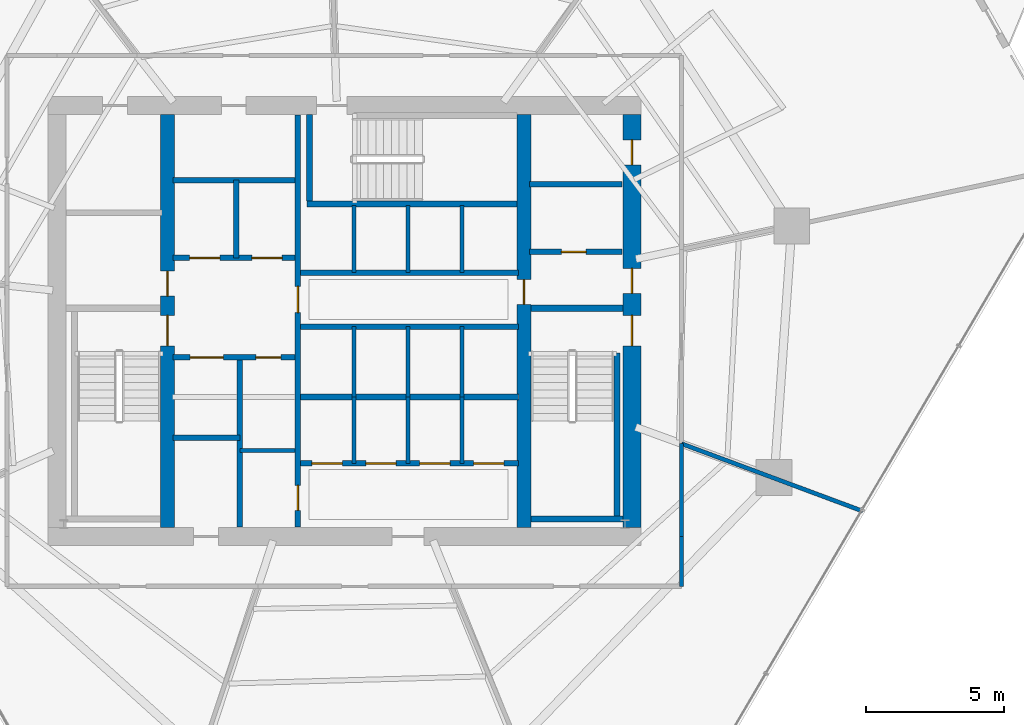
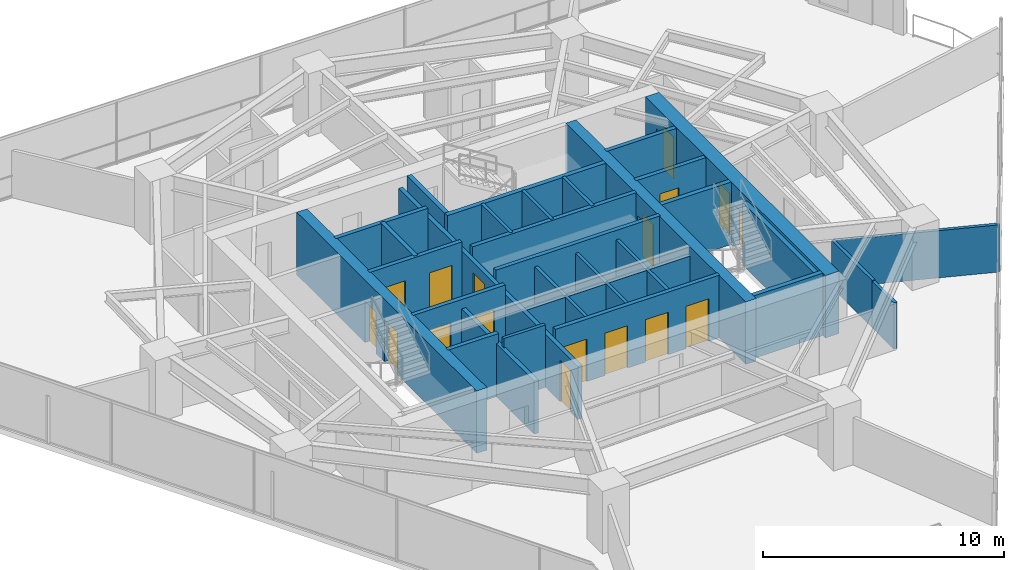
# One storey, part 25 of 31: 34 walls, 17 doors, 17 openings.
"""IFC4 building model written with IfcOpenShell, lengths in metres."""

from ifc_helpers import new_model, si_unit, direction, frame, frame_2d, origin, place, context, subcontext, project, spatial, rectangle, extrude, material, layer, layer_set, type_object, element, fill, save


model = new_model("IFC4")

# Units and contexts
model_context = context("Model", 3, precision=1e-05, world=origin(), true_north=direction((0.0, 1.0)))
body_context = subcontext(model_context, "Body", "Model", "MODEL_VIEW")
ifc_project = project(units=[si_unit("LENGTHUNIT", "METRE"), si_unit("AREAUNIT", "SQUARE_METRE"), si_unit("VOLUMEUNIT", "CUBIC_METRE"), si_unit("PLANEANGLEUNIT", "RADIAN"), si_unit("MASSUNIT", "GRAM", prefix="KILO")], contexts=[model_context])

# Site, building, storey
site_placement = place(None, origin())
site = spatial("IfcSite", under=ifc_project, at=site_placement, CompositionType="ELEMENT")
building_placement = place(site_placement, origin())
building = spatial("IfcBuilding", under=site, at=building_placement, Name="Qarnah Convention Tower", CompositionType="ELEMENT")
storey_placement = place(building_placement, frame((0.0, 0.0, 64.949951171875)))
storey = spatial("IfcBuildingStorey", under=building, at=storey_placement, Name="L16", CompositionType="ELEMENT", Elevation=64.949951171875)

# Wall, openings, doors
ifc_material_1 = material(Name="Concrete C60/75", Category="concrete")
ifc_layer_1 = layer(ifc_material_1, 0.64990234375)
ifc_layer_set_1 = layer_set([ifc_layer_1], Name="Concrete C60/75")
wall_type_1 = type_object("IfcWallType", Name="WL-CORE-650", PredefinedType="SHEAR", material=ifc_layer_set_1)
wall_1_placement = place(storey_placement, frame((47.60009765625, 18.925048828125, 0.0), z_axis=(0.0, 0.0, 1.0), x_axis=(0.0, 1.0, 0.0)))
wall_1 = element("IfcWall", 1, at=wall_1_placement, inside=storey, type_object=wall_type_1, Name="L16 core east shear wall", PredefinedType="SHEAR", context=body_context, shape_type="SweptSolid", body=[
    extrude(rectangle(XDim=14.949951171875, YDim=0.64990234375, at=frame_2d((7.47509765625, 0.0))), origin(), (0.0, 0.0, 1.0), 3.170166015625),
])
opening_1_placement = place(wall_1_placement, frame((6.574951171875, 0.0, 0.0)))
opening_1 = element("IfcOpeningElement", 2, at=opening_1_placement, cuts=wall_1, Name="Opening D-1602", PredefinedType="OPENING", context=body_context, shape_type="SweptSolid", body=[
    extrude(rectangle(XDim=1.10009765625, YDim=2.14990234375, at=frame_2d((0.550048828125, 1.074951171875))), frame((0.0, 0.3349609375, 0.0), z_axis=(0.0, -1.0, 0.0), x_axis=(1.0, 0.0, 0.0)), (0.0, 0.0, 1.0), 0.669921875),
])
opening_2_placement = place(wall_1_placement, frame((8.47509765625, 0.0, 0.0)))
opening_2 = element("IfcOpeningElement", 3, at=opening_2_placement, cuts=wall_1, Name="Opening D-1606", PredefinedType="OPENING", context=body_context, shape_type="SweptSolid", body=[
    extrude(rectangle(XDim=0.89990234375, YDim=2.10009765625, at=frame_2d((0.449951171875, 1.050048828125))), frame((0.0, 0.3349609375, 0.0), z_axis=(0.0, -1.0, 0.0), x_axis=(1.0, 0.0, 0.0)), (0.0, 0.0, 1.0), 0.669921875),
])
opening_3_placement = place(wall_1_placement, frame((13.125, 0.0, 0.0)))
opening_3 = element("IfcOpeningElement", 4, at=opening_3_placement, cuts=wall_1, Name="Opening D-1612", PredefinedType="OPENING", context=body_context, shape_type="SweptSolid", body=[
    extrude(rectangle(XDim=0.89990234375, YDim=2.10009765625, at=frame_2d((0.449951171875, 1.050048828125))), frame((0.0, 0.3349609375, 0.0), z_axis=(0.0, -1.0, 0.0), x_axis=(1.0, 0.0, 0.0)), (0.0, 0.0, 1.0), 0.669921875),
])
ifc_material_2 = material(Name="Structural steel S355JR", Category="steel")
door_type_1 = type_object("IfcDoorType", Name="DT-RISER-900", OperationType="NOTDEFINED", PredefinedType="DOOR", material=ifc_material_2)
door_1_placement = place(opening_2_placement, origin())
door_1 = element("IfcDoor", 5, at=door_1_placement, inside=storey, type_object=door_type_1, Name="Door D-1606", OperationType="SINGLE_SWING_RIGHT", OverallHeight=2.10009765625, OverallWidth=0.89990234375, PredefinedType="DOOR", context=body_context, shape_type="SweptSolid", body=[
    extrude(rectangle(XDim=0.89990234375, YDim=2.10009765625, at=frame_2d((0.449951171875, 1.050048828125))), frame((0.0, 0.02490234375, 0.0), z_axis=(0.0, -1.0, 0.0), x_axis=(1.0, 0.0, 0.0)), (0.0, 0.0, 1.0), 0.050048828125),
])
fill(opening_2, door_1)
door_2_placement = place(opening_3_placement, origin())
door_2 = element("IfcDoor", 6, at=door_2_placement, inside=storey, type_object=door_type_1, Name="Door D-1612", OperationType="SINGLE_SWING_RIGHT", OverallHeight=2.10009765625, OverallWidth=0.89990234375, PredefinedType="DOOR", context=body_context, shape_type="SweptSolid", body=[
    extrude(rectangle(XDim=0.89990234375, YDim=2.10009765625, at=frame_2d((0.449951171875, 1.050048828125))), frame((0.0, 0.02490234375, 0.0), z_axis=(0.0, -1.0, 0.0), x_axis=(1.0, 0.0, 0.0)), (0.0, 0.0, 1.0), 0.050048828125),
])
fill(opening_3, door_2)
door_type_2 = type_object("IfcDoorType", Name="DT-STAIR-1100", OperationType="NOTDEFINED", PredefinedType="DOOR", material=ifc_material_2)
door_3_placement = place(opening_1_placement, origin())
door_3 = element("IfcDoor", 7, at=door_3_placement, inside=storey, type_object=door_type_2, Name="Door D-1602", OperationType="SINGLE_SWING_RIGHT", OverallHeight=2.14990234375, OverallWidth=1.10009765625, PredefinedType="DOOR", context=body_context, shape_type="SweptSolid", body=[
    extrude(rectangle(XDim=1.10009765625, YDim=2.14990234375, at=frame_2d((0.550048828125, 1.074951171875))), frame((0.0, 0.02490234375, 0.0), z_axis=(0.0, -1.0, 0.0), x_axis=(1.0, 0.0, 0.0)), (0.0, 0.0, 1.0), 0.050048828125),
])
fill(opening_1, door_3)

ifc_layer_2 = layer(ifc_material_1, 0.5)
ifc_layer_set_2 = layer_set([ifc_layer_2], Name="Concrete C60/75")
wall_type_2 = type_object("IfcWallType", Name="WL-CORE-INT-400", PredefinedType="SHEAR", material=ifc_layer_set_2)
wall_2_placement = place(storey_placement, frame((30.800048828125, 18.925048828125, 0.0), z_axis=(0.0, 0.0, 1.0), x_axis=(0.0, 1.0, 0.0)))
wall_2 = element("IfcWall", 8, at=wall_2_placement, inside=storey, type_object=wall_type_2, Name="L16 core west spine shear wall", PredefinedType="SHEAR", context=body_context, shape_type="SweptSolid", body=[
    extrude(rectangle(XDim=14.949951171875, YDim=0.5, at=frame_2d((7.47509765625, 0.0))), origin(), (0.0, 0.0, 1.0), 3.170166015625),
])
opening_4_placement = place(wall_2_placement, frame((6.574951171875, 0.0, 0.0)))
opening_4 = element("IfcOpeningElement", 9, at=opening_4_placement, cuts=wall_2, Name="Opening D-1601", PredefinedType="OPENING", context=body_context, shape_type="SweptSolid", body=[
    extrude(rectangle(XDim=1.10009765625, YDim=2.14990234375, at=frame_2d((0.550048828125, 1.074951171875))), frame((0.0, 0.260009765625, 0.0), z_axis=(0.0, -1.0, 0.0), x_axis=(1.0, 0.0, 0.0)), (0.0, 0.0, 1.0), 0.52001953125),
])
opening_5_placement = place(wall_2_placement, frame((8.375, 0.0, 0.0)))
opening_5 = element("IfcOpeningElement", 10, at=opening_5_placement, cuts=wall_2, Name="Opening D-1608", PredefinedType="OPENING", context=body_context, shape_type="SweptSolid", body=[
    extrude(rectangle(XDim=0.89990234375, YDim=2.10009765625, at=frame_2d((0.449951171875, 1.050048828125))), frame((0.0, 0.260009765625, 0.0), z_axis=(0.0, -1.0, 0.0), x_axis=(1.0, 0.0, 0.0)), (0.0, 0.0, 1.0), 0.52001953125),
])
door_4_placement = place(opening_5_placement, origin())
door_4 = element("IfcDoor", 11, at=door_4_placement, inside=storey, type_object=door_type_1, Name="Door D-1608", OperationType="SINGLE_SWING_RIGHT", OverallHeight=2.10009765625, OverallWidth=0.89990234375, PredefinedType="DOOR", context=body_context, shape_type="SweptSolid", body=[
    extrude(rectangle(XDim=0.89990234375, YDim=2.10009765625, at=frame_2d((0.449951171875, 1.050048828125))), frame((0.0, 0.02490234375, 0.0), z_axis=(0.0, -1.0, 0.0), x_axis=(1.0, 0.0, 0.0)), (0.0, 0.0, 1.0), 0.050048828125),
])
fill(opening_5, door_4)
door_5_placement = place(opening_4_placement, origin())
door_5 = element("IfcDoor", 12, at=door_5_placement, inside=storey, type_object=door_type_2, Name="Door D-1601", OperationType="SINGLE_SWING_LEFT", OverallHeight=2.14990234375, OverallWidth=1.10009765625, PredefinedType="DOOR", context=body_context, shape_type="SweptSolid", body=[
    extrude(rectangle(XDim=1.10009765625, YDim=2.14990234375, at=frame_2d((0.550048828125, 1.074951171875))), frame((0.0, 0.02490234375, 0.0), z_axis=(0.0, -1.0, 0.0), x_axis=(1.0, 0.0, 0.0)), (0.0, 0.0, 1.0), 0.050048828125),
])
fill(opening_4, door_5)

# Wall, opening, door
wall_3_placement = place(storey_placement, frame((43.699951171875, 18.925048828125, 0.0), z_axis=(0.0, 0.0, 1.0), x_axis=(0.0, 1.0, 0.0)))
wall_3 = element("IfcWall", 13, at=wall_3_placement, inside=storey, type_object=wall_type_2, Name="L16 core east spine shear wall", PredefinedType="SHEAR", context=body_context, shape_type="SweptSolid", body=[
    extrude(rectangle(XDim=14.949951171875, YDim=0.5, at=frame_2d((7.47509765625, 0.0))), origin(), (0.0, 0.0, 1.0), 3.170166015625),
])
opening_6_placement = place(wall_3_placement, frame((8.074951171875, 0.0, 0.0)))
opening_6 = element("IfcOpeningElement", 14, at=opening_6_placement, cuts=wall_3, Name="Opening D-1605", PredefinedType="OPENING", context=body_context, shape_type="SweptSolid", body=[
    extrude(rectangle(XDim=0.89990234375, YDim=2.10009765625, at=frame_2d((0.449951171875, 1.050048828125))), frame((0.0, 0.260009765625, 0.0), z_axis=(0.0, -1.0, 0.0), x_axis=(1.0, 0.0, 0.0)), (0.0, 0.0, 1.0), 0.52001953125),
])
door_6_placement = place(opening_6_placement, origin())
door_6 = element("IfcDoor", 15, at=door_6_placement, inside=storey, type_object=door_type_1, Name="Door D-1605", OperationType="SINGLE_SWING_LEFT", OverallHeight=2.10009765625, OverallWidth=0.89990234375, PredefinedType="DOOR", context=body_context, shape_type="SweptSolid", body=[
    extrude(rectangle(XDim=0.89990234375, YDim=2.10009765625, at=frame_2d((0.449951171875, 1.050048828125))), frame((0.0, 0.02490234375, 0.0), z_axis=(0.0, -1.0, 0.0), x_axis=(1.0, 0.0, 0.0)), (0.0, 0.0, 1.0), 0.050048828125),
])
fill(opening_6, door_6)

ifc_material_3 = material(Name="Concrete C45/55", Category="concrete")
ifc_layer_3 = layer(ifc_material_3, 0.199951171875)
ifc_layer_set_3 = layer_set([ifc_layer_3], Name="Concrete C45/55")
wall_type_3 = type_object("IfcWallType", Name="WL-CORE-PART-200", PredefinedType="SOLIDWALL", material=ifc_layer_set_3)
wall_4_placement = place(storey_placement, frame((43.89990234375, 28.89990234375, 0.0), z_axis=(0.0, 0.0, 1.0), x_axis=(1.0, 0.0, 0.0)))
wall_4 = element("IfcWall", 16, at=wall_4_placement, inside=storey, type_object=wall_type_3, Name="L16 interior wall IW-L16-EVSTN", PredefinedType="SOLIDWALL", context=body_context, shape_type="SweptSolid", body=[
    extrude(rectangle(XDim=3.35009765625, YDim=0.199951171875, at=frame_2d((1.675048828125, 0.0))), origin(), (0.0, 0.0, 1.0), 3.170166015625),
])
opening_7_placement = place(wall_4_placement, frame((1.14990234375, 0.0, 0.0)))
opening_7 = element("IfcOpeningElement", 17, at=opening_7_placement, cuts=wall_4, Name="Opening D-1611", PredefinedType="OPENING", context=body_context, shape_type="SweptSolid", body=[
    extrude(rectangle(XDim=0.89990234375, YDim=2.10009765625, at=frame_2d((0.449951171875, 1.050048828125))), frame((0.0, 0.10986328125, 0.0), z_axis=(0.0, -1.0, 0.0), x_axis=(1.0, 0.0, 0.0)), (0.0, 0.0, 1.0), 0.219970703125),
])
door_7_placement = place(opening_7_placement, origin())
door_7 = element("IfcDoor", 18, at=door_7_placement, inside=storey, type_object=door_type_1, Name="Door D-1611", OperationType="SINGLE_SWING_LEFT", OverallHeight=2.10009765625, OverallWidth=0.89990234375, PredefinedType="DOOR", context=body_context, shape_type="SweptSolid", body=[
    extrude(rectangle(XDim=0.89990234375, YDim=2.10009765625, at=frame_2d((0.449951171875, 1.050048828125))), frame((0.0, 0.02490234375, 0.0), z_axis=(0.0, -1.0, 0.0), x_axis=(1.0, 0.0, 0.0)), (0.0, 0.0, 1.0), 0.050048828125),
])
fill(opening_7, door_7)

# Wall
wall_5_placement = place(storey_placement, frame((43.89990234375, 31.35009765625, 0.0), z_axis=(0.0, 0.0, 1.0), x_axis=(1.0, 0.0, 0.0)))
element("IfcWall", 19, at=wall_5_placement, inside=storey, type_object=wall_type_3, Name="L16 interior wall IW-L16-WTRN", PredefinedType="SOLIDWALL", context=body_context, shape_type="SweptSolid", body=[
    extrude(rectangle(XDim=3.35009765625, YDim=0.199951171875, at=frame_2d((1.675048828125, 0.0))), origin(), (0.0, 0.0, 1.0), 3.170166015625),
])

# Wall, openings, doors
wall_6_placement = place(storey_placement, frame((35.52001953125, 18.949951171875, 0.0), z_axis=(0.0, 0.0, 1.0), x_axis=(0.0, 1.0, 0.0)))
wall_6 = element("IfcWall", 20, at=wall_6_placement, inside=storey, type_object=wall_type_3, Name="L16 interior wall IW-L16-CSP", PredefinedType="SOLIDWALL", context=body_context, shape_type="SweptSolid", body=[
    extrude(rectangle(XDim=14.900146484375, YDim=0.199951171875, at=frame_2d((7.4501953125, 0.0))), origin(), (0.0, 0.0, 1.0), 2.691162109375),
])
opening_8_placement = place(wall_6_placement, frame((7.7548828125, 0.0, 0.0)))
opening_8 = element("IfcOpeningElement", 21, at=opening_8_placement, cuts=wall_6, Name="Opening D-1604", PredefinedType="OPENING", context=body_context, shape_type="SweptSolid", body=[
    extrude(rectangle(XDim=0.949951171875, YDim=2.14990234375, at=frame_2d((0.47509765625, 1.074951171875))), frame((0.0, 0.10986328125, 0.0), z_axis=(0.0, -1.0, 0.0), x_axis=(1.0, 0.0, 0.0)), (0.0, 0.0, 1.0), 0.219970703125),
])
opening_9_placement = place(wall_6_placement, frame((0.60009765625, 0.0, 0.0)))
opening_9 = element("IfcOpeningElement", 22, at=opening_9_placement, cuts=wall_6, Name="Opening D-1614", PredefinedType="OPENING", context=body_context, shape_type="SweptSolid", body=[
    extrude(rectangle(XDim=0.89990234375, YDim=2.10009765625, at=frame_2d((0.449951171875, 1.050048828125))), frame((0.0, 0.10986328125, 0.0), z_axis=(0.0, -1.0, 0.0), x_axis=(1.0, 0.0, 0.0)), (0.0, 0.0, 1.0), 0.219970703125),
])
ifc_material_4 = material(Name="Oak timber veneer", Category="wood")
door_type_3 = type_object("IfcDoorType", Name="DT-HOTEL-950", OperationType="NOTDEFINED", PredefinedType="DOOR", material=ifc_material_4)
door_8_placement = place(opening_8_placement, origin())
door_8 = element("IfcDoor", 23, at=door_8_placement, inside=storey, type_object=door_type_3, Name="Door D-1604", OperationType="SINGLE_SWING_RIGHT", OverallHeight=2.14990234375, OverallWidth=0.949951171875, PredefinedType="DOOR", context=body_context, shape_type="SweptSolid", body=[
    extrude(rectangle(XDim=0.949951171875, YDim=2.14990234375, at=frame_2d((0.47509765625, 1.074951171875))), frame((0.0, 0.02490234375, 0.0), z_axis=(0.0, -1.0, 0.0), x_axis=(1.0, 0.0, 0.0)), (0.0, 0.0, 1.0), 0.050048828125),
])
fill(opening_8, door_8)
door_9_placement = place(opening_9_placement, origin())
door_9 = element("IfcDoor", 24, at=door_9_placement, inside=storey, type_object=door_type_1, Name="Door D-1614", OperationType="SINGLE_SWING_RIGHT", OverallHeight=2.10009765625, OverallWidth=0.89990234375, PredefinedType="DOOR", context=body_context, shape_type="SweptSolid", body=[
    extrude(rectangle(XDim=0.89990234375, YDim=2.10009765625, at=frame_2d((0.449951171875, 1.050048828125))), frame((0.0, 0.02490234375, 0.0), z_axis=(0.0, -1.0, 0.0), x_axis=(1.0, 0.0, 0.0)), (0.0, 0.0, 1.0), 0.050048828125),
])
fill(opening_9, door_9)

wall_7_placement = place(storey_placement, frame((31.0, 28.679931640625, 0.0), z_axis=(0.0, 0.0, 1.0), x_axis=(1.0, 0.0, 0.0)))
wall_7 = element("IfcWall", 25, at=wall_7_placement, inside=storey, type_object=wall_type_3, Name="L16 interior wall IW-L16-FFLS", PredefinedType="SOLIDWALL", context=body_context, shape_type="SweptSolid", body=[
    extrude(rectangle(XDim=4.419921875, YDim=0.199951171875, at=frame_2d((2.2099609375, 0.0))), origin(), (0.0, 0.0, 1.0), 3.170166015625),
])
opening_10_placement = place(wall_7_placement, frame((0.60009765625, 0.0, 0.0)))
opening_10 = element("IfcOpeningElement", 26, at=opening_10_placement, cuts=wall_7, Name="Opening LD-1601", PredefinedType="OPENING", context=body_context, shape_type="SweptSolid", body=[
    extrude(rectangle(XDim=1.10009765625, YDim=2.14990234375, at=frame_2d((0.550048828125, 1.074951171875))), frame((0.0, 0.10986328125, 0.0), z_axis=(0.0, -1.0, 0.0), x_axis=(1.0, 0.0, 0.0)), (0.0, 0.0, 1.0), 0.219970703125),
])
opening_11_placement = place(wall_7_placement, frame((2.85009765625, 0.0, 0.0)))
opening_11 = element("IfcOpeningElement", 27, at=opening_11_placement, cuts=wall_7, Name="Opening LD-1602", PredefinedType="OPENING", context=body_context, shape_type="SweptSolid", body=[
    extrude(rectangle(XDim=1.10009765625, YDim=2.14990234375, at=frame_2d((0.550048828125, 1.074951171875))), frame((0.0, 0.10986328125, 0.0), z_axis=(0.0, -1.0, 0.0), x_axis=(1.0, 0.0, 0.0)), (0.0, 0.0, 1.0), 0.219970703125),
])
door_type_4 = type_object("IfcDoorType", Name="DT-LIFT-1100", OperationType="SLIDING_TO_LEFT", PredefinedType="DOOR", material=ifc_material_2)
door_10_placement = place(opening_10_placement, origin())
door_10 = element("IfcDoor", 28, at=door_10_placement, inside=storey, type_object=door_type_4, Name="Door LD-1601", OperationType="SLIDING_TO_LEFT", OverallHeight=2.14990234375, OverallWidth=1.10009765625, PredefinedType="DOOR", context=body_context, shape_type="SweptSolid", body=[
    extrude(rectangle(XDim=1.10009765625, YDim=2.14990234375, at=frame_2d((0.550048828125, 1.074951171875))), frame((0.0, 0.02490234375, 0.0), z_axis=(0.0, -1.0, 0.0), x_axis=(1.0, 0.0, 0.0)), (0.0, 0.0, 1.0), 0.050048828125),
])
fill(opening_10, door_10)
door_11_placement = place(opening_11_placement, origin())
door_11 = element("IfcDoor", 29, at=door_11_placement, inside=storey, type_object=door_type_4, Name="Door LD-1602", OperationType="SLIDING_TO_LEFT", OverallHeight=2.14990234375, OverallWidth=1.10009765625, PredefinedType="DOOR", context=body_context, shape_type="SweptSolid", body=[
    extrude(rectangle(XDim=1.10009765625, YDim=2.14990234375, at=frame_2d((0.550048828125, 1.074951171875))), frame((0.0, 0.02490234375, 0.0), z_axis=(0.0, -1.0, 0.0), x_axis=(1.0, 0.0, 0.0)), (0.0, 0.0, 1.0), 0.050048828125),
])
fill(opening_11, door_11)

# Walls
wall_8_placement = place(storey_placement, frame((31.0, 31.5, 0.0), z_axis=(0.0, 0.0, 1.0), x_axis=(1.0, 0.0, 0.0)))
element("IfcWall", 30, at=wall_8_placement, inside=storey, type_object=wall_type_3, Name="L16 interior wall IW-L16-FFLN", PredefinedType="SOLIDWALL", context=body_context, shape_type="SweptSolid", body=[
    extrude(rectangle(XDim=4.419921875, YDim=0.199951171875, at=frame_2d((2.2099609375, 0.0))), origin(), (0.0, 0.0, 1.0), 3.170166015625),
])
wall_9_placement = place(storey_placement, frame((33.280029296875, 28.679931640625, 0.0), z_axis=(0.0, 0.0, 1.0), x_axis=(0.0, 1.0, 0.0)))
element("IfcWall", 31, at=wall_9_placement, inside=storey, type_object=wall_type_3, Name="L16 interior wall IW-L16-FFLM", PredefinedType="SOLIDWALL", context=body_context, shape_type="SweptSolid", body=[
    extrude(rectangle(XDim=2.820068359375, YDim=0.199951171875, at=frame_2d((1.41015625, 0.0))), origin(), (0.0, 0.0, 1.0), 3.170166015625),
])

# Wall, openings, doors
wall_10_placement = place(storey_placement, frame((31.0, 25.080078125, 0.0), z_axis=(0.0, 0.0, 1.0), x_axis=(1.0, 0.0, 0.0)))
wall_10 = element("IfcWall", 32, at=wall_10_placement, inside=storey, type_object=wall_type_3, Name="L16 interior wall IW-L16-FFLBS", PredefinedType="SOLIDWALL", context=body_context, shape_type="SweptSolid", body=[
    extrude(rectangle(XDim=4.419921875, YDim=0.199951171875, at=frame_2d((2.2099609375, 0.0))), origin(), (0.0, 0.0, 1.0), 3.170166015625),
])
opening_12_placement = place(wall_10_placement, frame((3.0, 0.0, 0.0)))
opening_12 = element("IfcOpeningElement", 33, at=opening_12_placement, cuts=wall_10, Name="Opening D-1615", PredefinedType="OPENING", context=body_context, shape_type="SweptSolid", body=[
    extrude(rectangle(XDim=0.89990234375, YDim=2.10009765625, at=frame_2d((0.449951171875, 1.050048828125))), frame((0.0, 0.10986328125, 0.0), z_axis=(0.0, -1.0, 0.0), x_axis=(1.0, 0.0, 0.0)), (0.0, 0.0, 1.0), 0.219970703125),
])
opening_13_placement = place(wall_10_placement, frame((0.6201171875, 0.0, 0.0)))
opening_13 = element("IfcOpeningElement", 34, at=opening_13_placement, cuts=wall_10, Name="Opening LD-1603", PredefinedType="OPENING", context=body_context, shape_type="SweptSolid", body=[
    extrude(rectangle(XDim=1.199951171875, YDim=2.14990234375, at=frame_2d((0.60009765625, 1.074951171875))), frame((0.0, 0.10986328125, 0.0), z_axis=(0.0, -1.0, 0.0), x_axis=(1.0, 0.0, 0.0)), (0.0, 0.0, 1.0), 0.219970703125),
])
door_type_5 = type_object("IfcDoorType", Name="DT-LIFT-1200", OperationType="SLIDING_TO_LEFT", PredefinedType="DOOR", material=ifc_material_2)
door_12_placement = place(opening_13_placement, origin())
door_12 = element("IfcDoor", 35, at=door_12_placement, inside=storey, type_object=door_type_5, Name="Door LD-1603", OperationType="SLIDING_TO_LEFT", OverallHeight=2.14990234375, OverallWidth=1.199951171875, PredefinedType="DOOR", context=body_context, shape_type="SweptSolid", body=[
    extrude(rectangle(XDim=1.199951171875, YDim=2.14990234375, at=frame_2d((0.60009765625, 1.074951171875))), frame((0.0, 0.02490234375, 0.0), z_axis=(0.0, -1.0, 0.0), x_axis=(1.0, 0.0, 0.0)), (0.0, 0.0, 1.0), 0.050048828125),
])
fill(opening_13, door_12)
door_13_placement = place(opening_12_placement, origin())
door_13 = element("IfcDoor", 36, at=door_13_placement, inside=storey, type_object=door_type_1, Name="Door D-1615", OperationType="SINGLE_SWING_LEFT", OverallHeight=2.10009765625, OverallWidth=0.89990234375, PredefinedType="DOOR", context=body_context, shape_type="SweptSolid", body=[
    extrude(rectangle(XDim=0.89990234375, YDim=2.10009765625, at=frame_2d((0.449951171875, 1.050048828125))), frame((0.0, 0.02490234375, 0.0), z_axis=(0.0, -1.0, 0.0), x_axis=(1.0, 0.0, 0.0)), (0.0, 0.0, 1.0), 0.050048828125),
])
fill(opening_12, door_13)

# Walls
wall_11_placement = place(storey_placement, frame((33.419921875, 18.949951171875, 0.0), z_axis=(0.0, 0.0, 1.0), x_axis=(0.0, 1.0, 0.0)))
element("IfcWall", 37, at=wall_11_placement, inside=storey, type_object=wall_type_3, Name="L16 interior wall IW-L16-SVLE", PredefinedType="SOLIDWALL", context=body_context, shape_type="SweptSolid", body=[
    extrude(rectangle(XDim=6.130126953125, YDim=0.199951171875, at=frame_2d((3.06494140625, 0.0))), origin(), (0.0, 0.0, 1.0), 2.691162109375),
])
wall_12_placement = place(storey_placement, frame((31.0, 22.179931640625, 0.0), z_axis=(0.0, 0.0, 1.0), x_axis=(1.0, 0.0, 0.0)))
element("IfcWall", 38, at=wall_12_placement, inside=storey, type_object=wall_type_3, Name="L16 interior wall IW-L16-SVLS", PredefinedType="SOLIDWALL", context=body_context, shape_type="SweptSolid", body=[
    extrude(rectangle(XDim=2.419921875, YDim=0.199951171875, at=frame_2d((1.2099609375, 0.0))), origin(), (0.0, 0.0, 1.0), 3.170166015625),
])
for number, where, z_axis, x_axis, name in (
    (39, (35.6201171875, 28.14990234375, 0.0), (0.0, 0.0, 1.0), (1.0, 0.0, 0.0), "L16 interior wall IW-L16-PHS"),
    (40, (35.6201171875, 26.199951171875, 0.0), (0.0, 0.0, 1.0), (1.0, 0.0, 0.0), "L16 interior wall IW-L16-PMN"),
):
    element("IfcWall", number, at=place(storey_placement, frame(where, z_axis=z_axis, x_axis=x_axis)), inside=storey, type_object=wall_type_3, Name=name, PredefinedType="SOLIDWALL", context=body_context, shape_type="SweptSolid", body=[
        extrude(rectangle(XDim=7.8798828125, YDim=0.199951171875, at=frame_2d((3.93994140625, 0.0))), origin(), (0.0, 0.0, 1.0), 3.170166015625),
    ])
wall_13_placement = place(storey_placement, frame((35.6201171875, 23.64990234375, 0.0), z_axis=(0.0, 0.0, 1.0), x_axis=(1.0, 0.0, 0.0)))
element("IfcWall", 41, at=wall_13_placement, inside=storey, type_object=wall_type_3, Name="L16 interior wall IW-L16-PMPL", PredefinedType="SOLIDWALL", context=body_context, shape_type="SweptSolid", body=[
    extrude(rectangle(XDim=7.8798828125, YDim=0.199951171875, at=frame_2d((3.93994140625, 0.0))), origin(), (0.0, 0.0, 1.0), 2.691162109375),
])

# Wall, openings, doors
wall_14_placement = place(storey_placement, frame((35.6201171875, 21.25, 0.0), z_axis=(0.0, 0.0, 1.0), x_axis=(1.0, 0.0, 0.0)))
wall_14 = element("IfcWall", 42, at=wall_14_placement, inside=storey, type_object=wall_type_3, Name="L16 interior wall IW-L16-PLS", PredefinedType="SOLIDWALL", context=body_context, shape_type="SweptSolid", body=[
    extrude(rectangle(XDim=7.8798828125, YDim=0.199951171875, at=frame_2d((3.93994140625, 0.0))), origin(), (0.0, 0.0, 1.0), 3.170166015625),
])
opening_14_placement = place(wall_14_placement, frame((0.405029296875, 0.0, 0.0)))
opening_14 = element("IfcOpeningElement", 43, at=opening_14_placement, cuts=wall_14, Name="Opening LD-1604", PredefinedType="OPENING", context=body_context, shape_type="SweptSolid", body=[
    extrude(rectangle(XDim=1.10009765625, YDim=2.14990234375, at=frame_2d((0.550048828125, 1.074951171875))), frame((0.0, 0.10986328125, 0.0), z_axis=(0.0, -1.0, 0.0), x_axis=(1.0, 0.0, 0.0)), (0.0, 0.0, 1.0), 0.219970703125),
])
opening_15_placement = place(wall_14_placement, frame((2.35498046875, 0.0, 0.0)))
opening_15 = element("IfcOpeningElement", 44, at=opening_15_placement, cuts=wall_14, Name="Opening LD-1605", PredefinedType="OPENING", context=body_context, shape_type="SweptSolid", body=[
    extrude(rectangle(XDim=1.10009765625, YDim=2.14990234375, at=frame_2d((0.550048828125, 1.074951171875))), frame((0.0, 0.10986328125, 0.0), z_axis=(0.0, -1.0, 0.0), x_axis=(1.0, 0.0, 0.0)), (0.0, 0.0, 1.0), 0.219970703125),
])
opening_16_placement = place(wall_14_placement, frame((4.304931640625, 0.0, 0.0)))
opening_16 = element("IfcOpeningElement", 45, at=opening_16_placement, cuts=wall_14, Name="Opening LD-1606", PredefinedType="OPENING", context=body_context, shape_type="SweptSolid", body=[
    extrude(rectangle(XDim=1.10009765625, YDim=2.14990234375, at=frame_2d((0.550048828125, 1.074951171875))), frame((0.0, 0.10986328125, 0.0), z_axis=(0.0, -1.0, 0.0), x_axis=(1.0, 0.0, 0.0)), (0.0, 0.0, 1.0), 0.219970703125),
])
opening_17_placement = place(wall_14_placement, frame((6.2548828125, 0.0, 0.0)))
opening_17 = element("IfcOpeningElement", 46, at=opening_17_placement, cuts=wall_14, Name="Opening LD-1607", PredefinedType="OPENING", context=body_context, shape_type="SweptSolid", body=[
    extrude(rectangle(XDim=1.10009765625, YDim=2.14990234375, at=frame_2d((0.550048828125, 1.074951171875))), frame((0.0, 0.10986328125, 0.0), z_axis=(0.0, -1.0, 0.0), x_axis=(1.0, 0.0, 0.0)), (0.0, 0.0, 1.0), 0.219970703125),
])
door_14_placement = place(opening_14_placement, origin())
door_14 = element("IfcDoor", 47, at=door_14_placement, inside=storey, type_object=door_type_4, Name="Door LD-1604", OperationType="SLIDING_TO_LEFT", OverallHeight=2.14990234375, OverallWidth=1.10009765625, PredefinedType="DOOR", context=body_context, shape_type="SweptSolid", body=[
    extrude(rectangle(XDim=1.10009765625, YDim=2.14990234375, at=frame_2d((0.550048828125, 1.074951171875))), frame((0.0, 0.02490234375, 0.0), z_axis=(0.0, -1.0, 0.0), x_axis=(1.0, 0.0, 0.0)), (0.0, 0.0, 1.0), 0.050048828125),
])
fill(opening_14, door_14)
door_15_placement = place(opening_15_placement, origin())
door_15 = element("IfcDoor", 48, at=door_15_placement, inside=storey, type_object=door_type_4, Name="Door LD-1605", OperationType="SLIDING_TO_LEFT", OverallHeight=2.14990234375, OverallWidth=1.10009765625, PredefinedType="DOOR", context=body_context, shape_type="SweptSolid", body=[
    extrude(rectangle(XDim=1.10009765625, YDim=2.14990234375, at=frame_2d((0.550048828125, 1.074951171875))), frame((0.0, 0.02490234375, 0.0), z_axis=(0.0, -1.0, 0.0), x_axis=(1.0, 0.0, 0.0)), (0.0, 0.0, 1.0), 0.050048828125),
])
fill(opening_15, door_15)
door_16_placement = place(opening_16_placement, origin())
door_16 = element("IfcDoor", 49, at=door_16_placement, inside=storey, type_object=door_type_4, Name="Door LD-1606", OperationType="SLIDING_TO_LEFT", OverallHeight=2.14990234375, OverallWidth=1.10009765625, PredefinedType="DOOR", context=body_context, shape_type="SweptSolid", body=[
    extrude(rectangle(XDim=1.10009765625, YDim=2.14990234375, at=frame_2d((0.550048828125, 1.074951171875))), frame((0.0, 0.02490234375, 0.0), z_axis=(0.0, -1.0, 0.0), x_axis=(1.0, 0.0, 0.0)), (0.0, 0.0, 1.0), 0.050048828125),
])
fill(opening_16, door_16)
door_17_placement = place(opening_17_placement, origin())
door_17 = element("IfcDoor", 50, at=door_17_placement, inside=storey, type_object=door_type_4, Name="Door LD-1607", OperationType="SLIDING_TO_LEFT", OverallHeight=2.14990234375, OverallWidth=1.10009765625, PredefinedType="DOOR", context=body_context, shape_type="SweptSolid", body=[
    extrude(rectangle(XDim=1.10009765625, YDim=2.14990234375, at=frame_2d((0.550048828125, 1.074951171875))), frame((0.0, 0.02490234375, 0.0), z_axis=(0.0, -1.0, 0.0), x_axis=(1.0, 0.0, 0.0)), (0.0, 0.0, 1.0), 0.050048828125),
])
fill(opening_17, door_17)

# Walls
ifc_layer_4 = layer(ifc_material_1, 0.219970703125)
ifc_layer_set_4 = layer_set([ifc_layer_4], Name="Concrete C60/75")
wall_type_4 = type_object("IfcWallType", Name="WL-CORE-STAIR-220", PredefinedType="SHEAR", material=ifc_layer_set_4)
wall_15_placement = place(storey_placement, frame((43.949951171875, 26.860107421875, 0.0), z_axis=(0.0, 0.0, 1.0), x_axis=(1.0, 0.0, 0.0)))
element("IfcWall", 51, at=wall_15_placement, inside=storey, type_object=wall_type_4, Name="L16 stair shaft shear wall SW-L16-ST2N", PredefinedType="SHEAR", context=body_context, shape_type="SweptSolid", body=[
    extrude(rectangle(XDim=3.324951171875, YDim=0.219970703125, at=frame_2d((1.66259765625, 0.0))), origin(), (0.0, 0.0, 1.0), 3.170166015625),
])
wall_16_placement = place(storey_placement, frame((47.06005859375, 19.35009765625, 0.0), z_axis=(0.0, 0.0, 1.0), x_axis=(0.0, 1.0, 0.0)))
element("IfcWall", 52, at=wall_16_placement, inside=storey, type_object=wall_type_4, Name="L16 stair shaft shear wall SW-L16-ST2E", PredefinedType="SHEAR", context=body_context, shape_type="SweptSolid", body=[
    extrude(rectangle(XDim=5.89990234375, YDim=0.219970703125, at=frame_2d((2.949951171875, 0.0))), origin(), (0.0, 0.0, 1.0), 3.170166015625),
])
wall_17_placement = place(storey_placement, frame((43.949951171875, 19.239990234375, 0.0), z_axis=(0.0, 0.0, 1.0), x_axis=(1.0, 0.0, 0.0)))
element("IfcWall", 53, at=wall_17_placement, inside=storey, type_object=wall_type_4, Name="L16 stair shaft shear wall SW-L16-ST2S", PredefinedType="SHEAR", context=body_context, shape_type="SweptSolid", body=[
    extrude(rectangle(XDim=3.324951171875, YDim=0.219970703125, at=frame_2d((1.66259765625, 0.0))), origin(), (0.0, 0.0, 1.0), 3.170166015625),
])
wall_18_placement = place(storey_placement, frame((35.840087890625, 30.639892578125, 0.0), z_axis=(0.0, 0.0, 1.0), x_axis=(1.0, 0.0, 0.0)))
element("IfcWall", 54, at=wall_18_placement, inside=storey, type_object=wall_type_4, Name="L16 stair shaft shear wall SW-L16-ST3S", PredefinedType="SHEAR", context=body_context, shape_type="SweptSolid", body=[
    extrude(rectangle(XDim=7.60986328125, YDim=0.219970703125, at=frame_2d((3.804931640625, 0.0))), origin(), (0.0, 0.0, 1.0), 3.170166015625),
])
wall_19_placement = place(storey_placement, frame((35.93994140625, 30.75, 0.0), z_axis=(0.0, 0.0, 1.0), x_axis=(0.0, 1.0, 0.0)))
element("IfcWall", 55, at=wall_19_placement, inside=storey, type_object=wall_type_4, Name="L16 stair shaft shear wall SW-L16-ST3W", PredefinedType="SHEAR", context=body_context, shape_type="SweptSolid", body=[
    extrude(rectangle(XDim=3.125, YDim=0.219970703125, at=frame_2d((1.5625, 0.0))), origin(), (0.0, 0.0, 1.0), 3.170166015625),
])
ifc_material_5 = material(Name="Gypsum partition board")
ifc_layer_5 = layer(ifc_material_5, 0.14990234375)
ifc_layer_set_5 = layer_set([ifc_layer_5], Name="Gypsum partition board")
wall_type_5 = type_object("IfcWallType", Name="WL-SUITE-150", PredefinedType="PARTITIONING", material=ifc_layer_set_5)
wall_20_placement = place(storey_placement, frame((33.419921875, 21.719970703125, 0.0), z_axis=(0.0, 0.0, 1.0), x_axis=(1.0, 0.0, 0.0)))
element("IfcWall", 56, at=wall_20_placement, inside=storey, type_object=wall_type_5, Name="L16 interior wall IW-L16-CSV1", PredefinedType="PARTITIONING", context=body_context, shape_type="SweptSolid", body=[
    extrude(rectangle(XDim=2.0, YDim=0.14990234375, at=frame_2d((1.0, 0.0))), origin(), (0.0, 0.0, 1.0), 3.170166015625),
])
for number, where, z_axis, x_axis, name in (
    (57, (37.550048828125, 28.14990234375, 0.0), (0.0, 0.0, 1.0), (0.0, 1.0, 0.0), "L16 interior wall IW-L16-PHD1"),
    (58, (39.5, 28.14990234375, 0.0), (0.0, 0.0, 1.0), (0.0, 1.0, 0.0), "L16 interior wall IW-L16-PHD2"),
    (59, (41.449951171875, 28.14990234375, 0.0), (0.0, 0.0, 1.0), (0.0, 1.0, 0.0), "L16 interior wall IW-L16-PHD3"),
):
    element("IfcWall", number, at=place(storey_placement, frame(where, z_axis=z_axis, x_axis=x_axis)), inside=storey, type_object=wall_type_5, Name=name, PredefinedType="PARTITIONING", context=body_context, shape_type="SweptSolid", body=[
        extrude(rectangle(XDim=2.43017578125, YDim=0.14990234375, at=frame_2d((1.215087890625, 0.0))), origin(), (0.0, 0.0, 1.0), 3.170166015625),
    ])
for number, where, z_axis, x_axis, name in (
    (60, (37.550048828125, 23.64990234375, 0.0), (0.0, 0.0, 1.0), (0.0, 1.0, 0.0), "L16 interior wall IW-L16-PMD1"),
    (61, (39.5, 23.64990234375, 0.0), (0.0, 0.0, 1.0), (0.0, 1.0, 0.0), "L16 interior wall IW-L16-PMD2"),
    (62, (41.449951171875, 23.64990234375, 0.0), (0.0, 0.0, 1.0), (0.0, 1.0, 0.0), "L16 interior wall IW-L16-PMD3"),
):
    element("IfcWall", number, at=place(storey_placement, frame(where, z_axis=z_axis, x_axis=x_axis)), inside=storey, type_object=wall_type_5, Name=name, PredefinedType="PARTITIONING", context=body_context, shape_type="SweptSolid", body=[
        extrude(rectangle(XDim=2.550048828125, YDim=0.14990234375, at=frame_2d((1.27490234375, 0.0))), origin(), (0.0, 0.0, 1.0), 2.691162109375),
    ])
for number, where, z_axis, x_axis, name in (
    (63, (37.550048828125, 21.25, 0.0), (0.0, 0.0, 1.0), (0.0, 1.0, 0.0), "L16 interior wall IW-L16-PLD1"),
    (64, (39.5, 21.25, 0.0), (0.0, 0.0, 1.0), (0.0, 1.0, 0.0), "L16 interior wall IW-L16-PLD2"),
    (65, (41.449951171875, 21.25, 0.0), (0.0, 0.0, 1.0), (0.0, 1.0, 0.0), "L16 interior wall IW-L16-PLD3"),
):
    element("IfcWall", number, at=place(storey_placement, frame(where, z_axis=z_axis, x_axis=x_axis)), inside=storey, type_object=wall_type_5, Name=name, PredefinedType="PARTITIONING", context=body_context, shape_type="SweptSolid", body=[
        extrude(rectangle(XDim=2.39990234375, YDim=0.14990234375, at=frame_2d((1.199951171875, 0.0))), origin(), (0.0, 0.0, 1.0), 2.691162109375),
    ])
wall_21_placement = place(storey_placement, frame((55.9541015625, 19.52001953125, 0.0), z_axis=(0.0, 0.0, 1.0), x_axis=(-0.937167179172, 0.348880607489, 0.0)))
element("IfcWall", 66, at=wall_21_placement, inside=storey, type_object=wall_type_5, Name="L16 interior wall IW-L16-R-30", PredefinedType="PARTITIONING", context=body_context, shape_type="SweptSolid", body=[
    extrude(rectangle(XDim=6.99365234375, YDim=0.14990234375, at=frame_2d((3.496826171875, 0.0))), origin(), (0.0, 0.0, 1.0), 2.39501953125),
])
wall_22_placement = place(storey_placement, frame((49.39990234375, 21.9599609375, 0.0), z_axis=(0.0, 0.0, 1.0), x_axis=(0.0, -1.0, 0.0)))
element("IfcWall", 67, at=wall_22_placement, inside=storey, type_object=wall_type_5, Name="L16 interior wall IW-L16-R-31", PredefinedType="PARTITIONING", context=body_context, shape_type="SweptSolid", body=[
    extrude(rectangle(XDim=3.35986328125, YDim=0.14990234375, at=frame_2d((1.679931640625, 0.0))), origin(), (0.0, 0.0, 1.0), 2.39501953125),
])
wall_23_placement = place(storey_placement, frame((49.39990234375, 18.60009765625, 0.0), z_axis=(0.0, 0.0, 1.0), x_axis=(0.0, -1.0, 0.0)))
element("IfcWall", 68, at=wall_23_placement, inside=storey, type_object=wall_type_5, Name="L16 interior wall IW-L16-R-32", PredefinedType="PARTITIONING", context=body_context, shape_type="SweptSolid", body=[
    extrude(rectangle(XDim=1.800048828125, YDim=0.14990234375, at=frame_2d((0.89990234375, 0.0))), origin(), (0.0, 0.0, 1.0), 2.35498046875),
])

save(model, "model.ifc")
